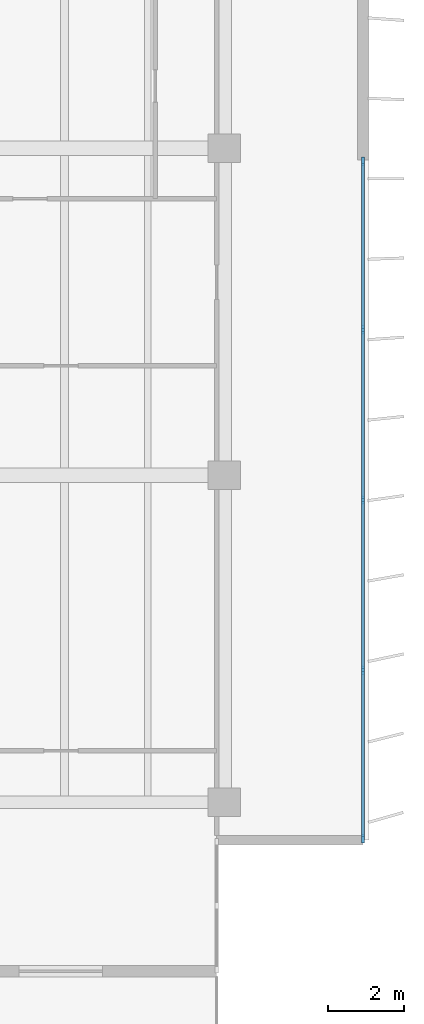
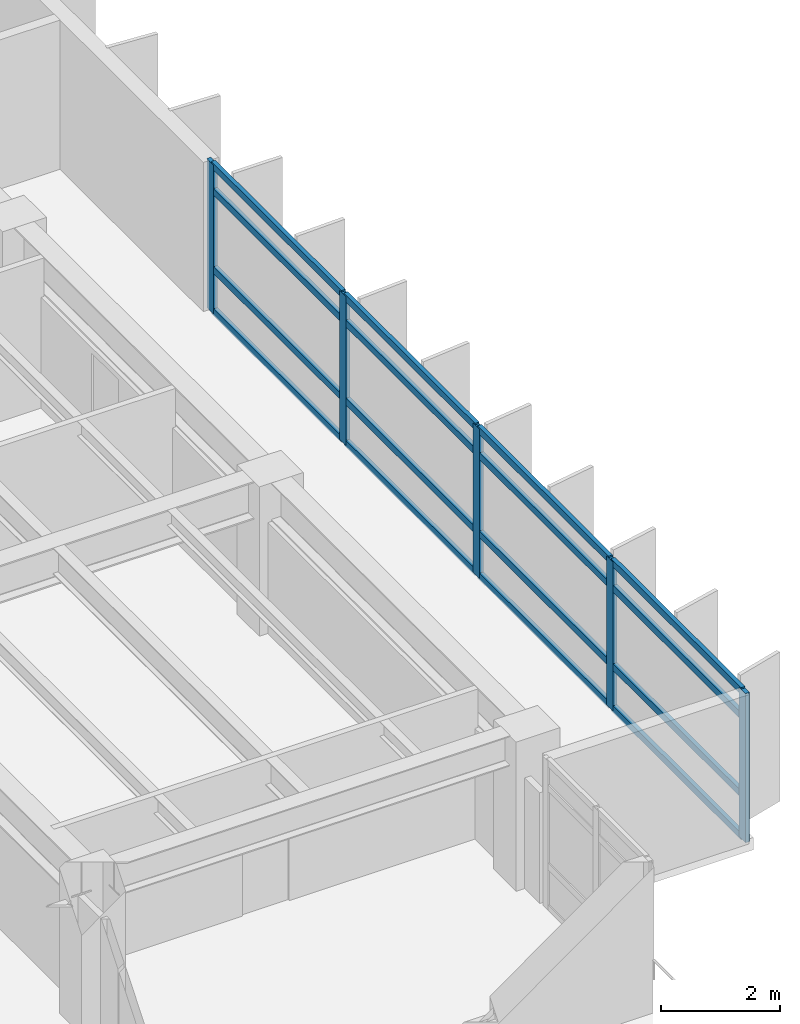
# One storey, part 6 of 17: 21 members, 1 element without a shape of its own.
"""IFC4 building model written with IfcOpenShell, lengths in metres."""

from ifc_helpers import new_model, si_unit, direction, frame, origin, origin_2d, place, context, subcontext, project, spatial, rectangle, extrude, material, layer, layer_set, material_profile, profile_set, type_object, element, aggregate, save


model = new_model("IFC4")

# Units and contexts
model_context = context("Model", 3, precision=1e-05, world=origin(), true_north=direction((0.0, 1.0)))
body_context = subcontext(model_context, "Body", "Model", "MODEL_VIEW")
ifc_project = project(units=[si_unit("LENGTHUNIT", "METRE"), si_unit("AREAUNIT", "SQUARE_METRE"), si_unit("VOLUMEUNIT", "CUBIC_METRE"), si_unit("PLANEANGLEUNIT", "RADIAN"), si_unit("MASSUNIT", "GRAM", prefix="KILO")], contexts=[model_context])

# Site, building, storey
site_placement = place(None, origin())
site = spatial("IfcSite", under=ifc_project, at=site_placement, CompositionType="ELEMENT")
building_placement = place(site_placement, origin())
building = spatial("IfcBuilding", under=site, at=building_placement, Name="Caelmar Bay Residences", CompositionType="ELEMENT")
storey_placement = place(building_placement, frame((0.0, 0.0, 204.89990234375)))
storey = spatial("IfcBuildingStorey", under=building, at=storey_placement, Name="L57", CompositionType="ELEMENT", Elevation=204.89990234375)

# Curtain wall, members
ifc_material_1 = material(Name="Anodised bronze aluminium 6063-T6 and laminated glass", Category="aluminium")
ifc_layer = layer(ifc_material_1, 0.179931640625)
ifc_layer_set = layer_set([ifc_layer], Name="Anodised bronze aluminium 6063-T6 and laminated glass")
curtain_wall_type = type_object("IfcCurtainWallType", Name="CW4-Z3", PredefinedType="NOTDEFINED", material=ifc_layer_set)
curtain_wall_placement = place(storey_placement, origin())
curtain_wall = element("IfcCurtainWall", 1, at=curtain_wall_placement, inside=storey, type_object=curtain_wall_type, Name="CW4 curtain wall L57", PredefinedType="NOTDEFINED")
ifc_material_2 = material(Name="Anodised bronze aluminium 6063-T6", Category="aluminium")
ifc_material_profile_1 = material_profile(ifc_material_2, rectangle(XDim=0.080078125, YDim=0.219970703125, at=origin_2d()), Name="CWM-80X220")
ifc_profile_set_1 = profile_set([ifc_material_profile_1], Name="Anodised bronze aluminium 6063-T6")
member_type_1 = type_object("IfcMemberType", Name="CWM-220", PredefinedType="MULLION", material=ifc_profile_set_1)
member_1_placement = place(storey_placement, frame((71.550048828125, 29.06005859375, 0.0), z_axis=(0.0, 0.0, 1.0), x_axis=(1.0, 0.0, 0.0)))
member_1 = element("IfcMember", 2, at=member_1_placement, type_object=member_type_1, Name="CW4 mullion 1", PredefinedType="MULLION", context=body_context, shape_type="SweptSolid", body=[
    extrude(rectangle(XDim=0.080078125, YDim=0.219970703125, at=origin_2d()), origin(), (0.0, 0.0, 1.0), 3.050048828125),
])
member_2_placement = place(storey_placement, frame((71.550048828125, 24.625, 0.0), z_axis=(0.0, 0.0, 1.0), x_axis=(1.0, 0.0, 0.0)))
member_2 = element("IfcMember", 3, at=member_2_placement, type_object=member_type_1, Name="CW4 mullion 2", PredefinedType="MULLION", context=body_context, shape_type="SweptSolid", body=[
    extrude(rectangle(XDim=0.080078125, YDim=0.219970703125, at=origin_2d()), origin(), (0.0, 0.0, 1.0), 3.050048828125),
])
member_3_placement = place(storey_placement, frame((71.550048828125, 20.14990234375, 0.0), z_axis=(0.0, 0.0, 1.0), x_axis=(1.0, 0.0, 0.0)))
member_3 = element("IfcMember", 4, at=member_3_placement, type_object=member_type_1, Name="CW4 mullion 3", PredefinedType="MULLION", context=body_context, shape_type="SweptSolid", body=[
    extrude(rectangle(XDim=0.080078125, YDim=0.219970703125, at=origin_2d()), origin(), (0.0, 0.0, 1.0), 3.050048828125),
])
member_4_placement = place(storey_placement, frame((71.550048828125, 15.675048828125, 0.0), z_axis=(0.0, 0.0, 1.0), x_axis=(1.0, 0.0, 0.0)))
member_4 = element("IfcMember", 5, at=member_4_placement, type_object=member_type_1, Name="CW4 mullion 4", PredefinedType="MULLION", context=body_context, shape_type="SweptSolid", body=[
    extrude(rectangle(XDim=0.080078125, YDim=0.219970703125, at=origin_2d()), origin(), (0.0, 0.0, 1.0), 3.050048828125),
])
member_5_placement = place(storey_placement, frame((71.550048828125, 11.239990234375, 0.0), z_axis=(0.0, 0.0, 1.0), x_axis=(1.0, 0.0, 0.0)))
member_5 = element("IfcMember", 6, at=member_5_placement, type_object=member_type_1, Name="CW4 mullion 5", PredefinedType="MULLION", context=body_context, shape_type="SweptSolid", body=[
    extrude(rectangle(XDim=0.080078125, YDim=0.219970703125, at=origin_2d()), origin(), (0.0, 0.0, 1.0), 3.050048828125),
])
ifc_material_profile_2 = material_profile(ifc_material_2, rectangle(XDim=0.080078125, YDim=0.139892578125, at=origin_2d()), Name="CWT-80X140")
ifc_profile_set_2 = profile_set([ifc_material_profile_2], Name="Anodised bronze aluminium 6063-T6")
member_type_2 = type_object("IfcMemberType", Name="CWT-140", PredefinedType="NOTDEFINED", material=ifc_profile_set_2)
member_6_placement = place(storey_placement, frame((71.550048828125, 29.02001953125, 0.0400390625), z_axis=(0.0, -1.0, 0.0), x_axis=(1.0, 0.0, 0.0)))
member_6 = element("IfcMember", 7, at=member_6_placement, type_object=member_type_2, Name="CW4 transom 1.1", ObjectType="TRANSOM", PredefinedType="USERDEFINED", context=body_context, shape_type="SweptSolid", body=[
    extrude(rectangle(XDim=0.080078125, YDim=0.139892578125, at=origin_2d()), origin(), (0.0, 0.0, 1.0), 4.35498046875),
])
member_7_placement = place(storey_placement, frame((71.550048828125, 29.02001953125, 0.900146484375), z_axis=(0.0, -1.0, 0.0), x_axis=(1.0, 0.0, 0.0)))
member_7 = element("IfcMember", 8, at=member_7_placement, type_object=member_type_2, Name="CW4 transom 1.2", ObjectType="TRANSOM", PredefinedType="USERDEFINED", context=body_context, shape_type="SweptSolid", body=[
    extrude(rectangle(XDim=0.080078125, YDim=0.139892578125, at=origin_2d()), origin(), (0.0, 0.0, 1.0), 4.35498046875),
])
member_8_placement = place(storey_placement, frame((71.550048828125, 29.02001953125, 2.5), z_axis=(0.0, -1.0, 0.0), x_axis=(1.0, 0.0, 0.0)))
member_8 = element("IfcMember", 9, at=member_8_placement, type_object=member_type_2, Name="CW4 transom 1.3", ObjectType="TRANSOM", PredefinedType="USERDEFINED", context=body_context, shape_type="SweptSolid", body=[
    extrude(rectangle(XDim=0.080078125, YDim=0.139892578125, at=origin_2d()), origin(), (0.0, 0.0, 1.0), 4.35498046875),
])
member_9_placement = place(storey_placement, frame((71.550048828125, 29.02001953125, 3.010009765625), z_axis=(0.0, -1.0, 0.0), x_axis=(1.0, 0.0, 0.0)))
member_9 = element("IfcMember", 10, at=member_9_placement, type_object=member_type_2, Name="CW4 transom 1.4", ObjectType="TRANSOM", PredefinedType="USERDEFINED", context=body_context, shape_type="SweptSolid", body=[
    extrude(rectangle(XDim=0.080078125, YDim=0.139892578125, at=origin_2d()), origin(), (0.0, 0.0, 1.0), 4.35498046875),
])
member_10_placement = place(storey_placement, frame((71.550048828125, 24.5849609375, 0.0400390625), z_axis=(0.0, -1.0, 0.0), x_axis=(1.0, 0.0, 0.0)))
member_10 = element("IfcMember", 11, at=member_10_placement, type_object=member_type_2, Name="CW4 transom 2.1", ObjectType="TRANSOM", PredefinedType="USERDEFINED", context=body_context, shape_type="SweptSolid", body=[
    extrude(rectangle(XDim=0.080078125, YDim=0.139892578125, at=origin_2d()), origin(), (0.0, 0.0, 1.0), 4.39501953125),
])
member_11_placement = place(storey_placement, frame((71.550048828125, 24.5849609375, 0.900146484375), z_axis=(0.0, -1.0, 0.0), x_axis=(1.0, 0.0, 0.0)))
member_11 = element("IfcMember", 12, at=member_11_placement, type_object=member_type_2, Name="CW4 transom 2.2", ObjectType="TRANSOM", PredefinedType="USERDEFINED", context=body_context, shape_type="SweptSolid", body=[
    extrude(rectangle(XDim=0.080078125, YDim=0.139892578125, at=origin_2d()), origin(), (0.0, 0.0, 1.0), 4.39501953125),
])
member_12_placement = place(storey_placement, frame((71.550048828125, 24.5849609375, 2.5), z_axis=(0.0, -1.0, 0.0), x_axis=(1.0, 0.0, 0.0)))
member_12 = element("IfcMember", 13, at=member_12_placement, type_object=member_type_2, Name="CW4 transom 2.3", ObjectType="TRANSOM", PredefinedType="USERDEFINED", context=body_context, shape_type="SweptSolid", body=[
    extrude(rectangle(XDim=0.080078125, YDim=0.139892578125, at=origin_2d()), origin(), (0.0, 0.0, 1.0), 4.39501953125),
])
member_13_placement = place(storey_placement, frame((71.550048828125, 24.5849609375, 3.010009765625), z_axis=(0.0, -1.0, 0.0), x_axis=(1.0, 0.0, 0.0)))
member_13 = element("IfcMember", 14, at=member_13_placement, type_object=member_type_2, Name="CW4 transom 2.4", ObjectType="TRANSOM", PredefinedType="USERDEFINED", context=body_context, shape_type="SweptSolid", body=[
    extrude(rectangle(XDim=0.080078125, YDim=0.139892578125, at=origin_2d()), origin(), (0.0, 0.0, 1.0), 4.39501953125),
])
member_14_placement = place(storey_placement, frame((71.550048828125, 20.110107421875, 0.0400390625), z_axis=(0.0, -1.0, 0.0), x_axis=(1.0, 0.0, 0.0)))
member_14 = element("IfcMember", 15, at=member_14_placement, type_object=member_type_2, Name="CW4 transom 3.1", ObjectType="TRANSOM", PredefinedType="USERDEFINED", context=body_context, shape_type="SweptSolid", body=[
    extrude(rectangle(XDim=0.080078125, YDim=0.139892578125, at=origin_2d()), origin(), (0.0, 0.0, 1.0), 4.39501953125),
])
member_15_placement = place(storey_placement, frame((71.550048828125, 20.110107421875, 0.900146484375), z_axis=(0.0, -1.0, 0.0), x_axis=(1.0, 0.0, 0.0)))
member_15 = element("IfcMember", 16, at=member_15_placement, type_object=member_type_2, Name="CW4 transom 3.2", ObjectType="TRANSOM", PredefinedType="USERDEFINED", context=body_context, shape_type="SweptSolid", body=[
    extrude(rectangle(XDim=0.080078125, YDim=0.139892578125, at=origin_2d()), origin(), (0.0, 0.0, 1.0), 4.39501953125),
])
member_16_placement = place(storey_placement, frame((71.550048828125, 20.110107421875, 2.5), z_axis=(0.0, -1.0, 0.0), x_axis=(1.0, 0.0, 0.0)))
member_16 = element("IfcMember", 17, at=member_16_placement, type_object=member_type_2, Name="CW4 transom 3.3", ObjectType="TRANSOM", PredefinedType="USERDEFINED", context=body_context, shape_type="SweptSolid", body=[
    extrude(rectangle(XDim=0.080078125, YDim=0.139892578125, at=origin_2d()), origin(), (0.0, 0.0, 1.0), 4.39501953125),
])
member_17_placement = place(storey_placement, frame((71.550048828125, 20.110107421875, 3.010009765625), z_axis=(0.0, -1.0, 0.0), x_axis=(1.0, 0.0, 0.0)))
member_17 = element("IfcMember", 18, at=member_17_placement, type_object=member_type_2, Name="CW4 transom 3.4", ObjectType="TRANSOM", PredefinedType="USERDEFINED", context=body_context, shape_type="SweptSolid", body=[
    extrude(rectangle(XDim=0.080078125, YDim=0.139892578125, at=origin_2d()), origin(), (0.0, 0.0, 1.0), 4.39501953125),
])
member_18_placement = place(storey_placement, frame((71.550048828125, 15.635009765625, 0.0400390625), z_axis=(0.0, -1.0, 0.0), x_axis=(1.0, 0.0, 0.0)))
member_18 = element("IfcMember", 19, at=member_18_placement, type_object=member_type_2, Name="CW4 transom 4.1", ObjectType="TRANSOM", PredefinedType="USERDEFINED", context=body_context, shape_type="SweptSolid", body=[
    extrude(rectangle(XDim=0.080078125, YDim=0.139892578125, at=origin_2d()), origin(), (0.0, 0.0, 1.0), 4.35498046875),
])
member_19_placement = place(storey_placement, frame((71.550048828125, 15.635009765625, 0.900146484375), z_axis=(0.0, -1.0, 0.0), x_axis=(1.0, 0.0, 0.0)))
member_19 = element("IfcMember", 20, at=member_19_placement, type_object=member_type_2, Name="CW4 transom 4.2", ObjectType="TRANSOM", PredefinedType="USERDEFINED", context=body_context, shape_type="SweptSolid", body=[
    extrude(rectangle(XDim=0.080078125, YDim=0.139892578125, at=origin_2d()), origin(), (0.0, 0.0, 1.0), 4.35498046875),
])
member_20_placement = place(storey_placement, frame((71.550048828125, 15.635009765625, 2.5), z_axis=(0.0, -1.0, 0.0), x_axis=(1.0, 0.0, 0.0)))
member_20 = element("IfcMember", 21, at=member_20_placement, type_object=member_type_2, Name="CW4 transom 4.3", ObjectType="TRANSOM", PredefinedType="USERDEFINED", context=body_context, shape_type="SweptSolid", body=[
    extrude(rectangle(XDim=0.080078125, YDim=0.139892578125, at=origin_2d()), origin(), (0.0, 0.0, 1.0), 4.35498046875),
])
member_21_placement = place(storey_placement, frame((71.550048828125, 15.635009765625, 3.010009765625), z_axis=(0.0, -1.0, 0.0), x_axis=(1.0, 0.0, 0.0)))
member_21 = element("IfcMember", 22, at=member_21_placement, type_object=member_type_2, Name="CW4 transom 4.4", ObjectType="TRANSOM", PredefinedType="USERDEFINED", context=body_context, shape_type="SweptSolid", body=[
    extrude(rectangle(XDim=0.080078125, YDim=0.139892578125, at=origin_2d()), origin(), (0.0, 0.0, 1.0), 4.35498046875),
])
aggregate(curtain_wall, [member_1, member_2, member_3, member_4, member_5, member_6, member_7, member_8, member_9, member_10, member_11, member_12, member_13, member_14, member_15, member_16, member_17, member_18, member_19, member_20, member_21])

save(model, "model.ifc")
